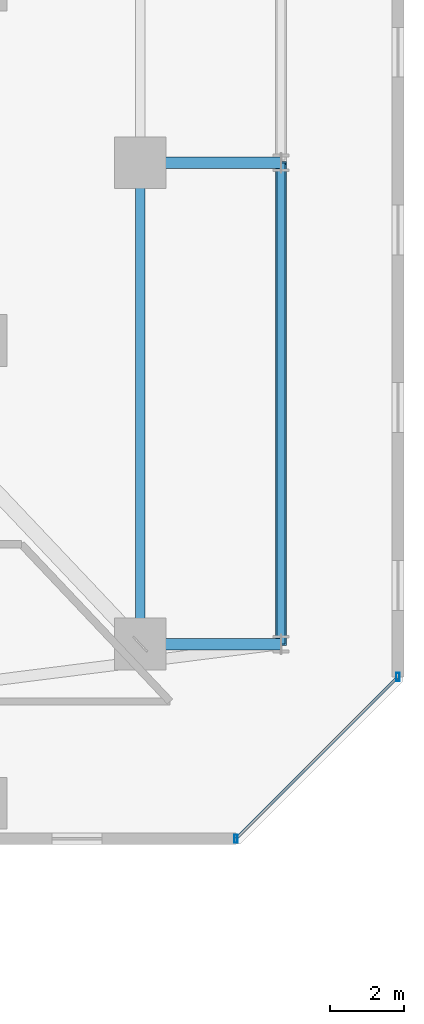
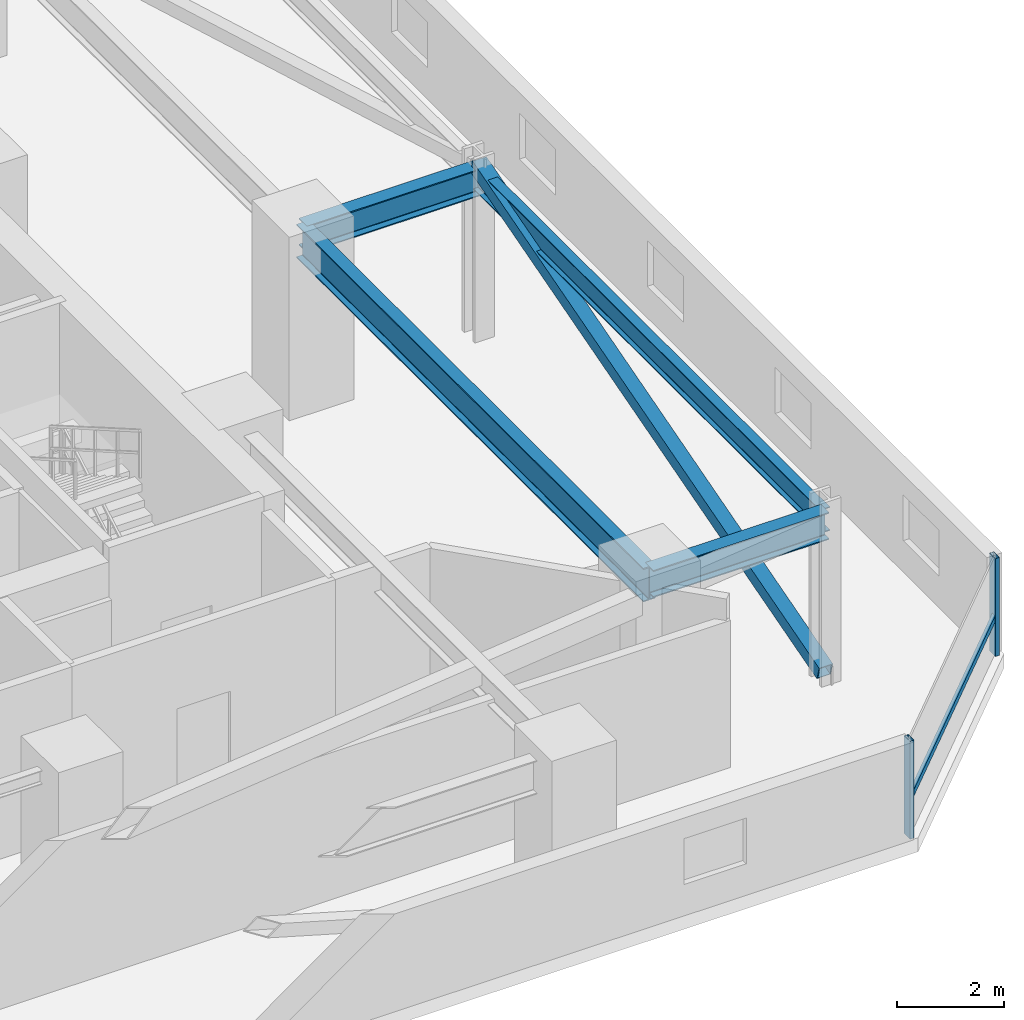
# One storey, part 19 of 38: 4 beams, 4 members, 1 element without a shape of its own.
"""IFC4 building model written with IfcOpenShell, lengths in metres."""

from ifc_helpers import new_model, si_unit, direction, frame, origin, origin_2d, place, context, subcontext, project, spatial, hollow_rectangle, i_section, extrude, material, material_profile, profile_set, type_object, element, aggregate, save


model = new_model("IFC4")

# Units and contexts
model_context = context("Model", 3, precision=1e-05, world=origin(), true_north=direction((0.0, 1.0)))
body_context = subcontext(model_context, "Body", "Model", "MODEL_VIEW")
ifc_project = project(units=[si_unit("LENGTHUNIT", "METRE"), si_unit("AREAUNIT", "SQUARE_METRE"), si_unit("VOLUMEUNIT", "CUBIC_METRE"), si_unit("PLANEANGLEUNIT", "RADIAN"), si_unit("MASSUNIT", "GRAM", prefix="KILO")], contexts=[model_context])

# Site, building, storey
site_placement = place(None, origin())
site = spatial("IfcSite", under=ifc_project, at=site_placement, CompositionType="ELEMENT")
building_placement = place(site_placement, origin())
building = spatial("IfcBuilding", under=site, at=building_placement, Name="Thornwick Lancets Civic Towers", CompositionType="ELEMENT")
storey_placement = place(building_placement, frame((0.0, 0.0, 71.699951171875)))
storey = spatial("IfcBuildingStorey", under=building, at=storey_placement, Name="L18", CompositionType="ELEMENT", Elevation=71.699951171875)

# Beams
ifc_material_1 = material(Name="Steel S355JR", Category="steel")
ifc_material_profile_1 = material_profile(ifc_material_1, i_section(OverallWidth=0.2119140625, OverallDepth=0.54443359375, WebThickness=0.0126953125, FlangeThickness=0.021240234375, FilletRadius=0.0126953125, at=origin_2d()), Name="UKB 533x210x122")
ifc_profile_set_1 = profile_set([ifc_material_profile_1], Name="Steel S355JR")
beam_type_1 = type_object("IfcBeamType", Name="BM_EDGE_533_122", PredefinedType="SPANDREL", material=ifc_profile_set_1)
beam_1_placement = place(storey_placement, frame((109.60009765625, 14.0, 3.607666015625), z_axis=(0.0, 1.0, 0.0), x_axis=(-1.0, 0.0, 0.0)))
element("IfcBeam", 1, at=beam_1_placement, inside=storey, type_object=beam_type_1, Name="BM-EDGE-L18-B-S0-1", PredefinedType="SPANDREL", context=body_context, shape_type="SweptSolid", body=[
    extrude(i_section(OverallWidth=0.2119140625, OverallDepth=0.54443359375, WebThickness=0.0126953125, FlangeThickness=0.021240234375, FilletRadius=0.0126953125, at=origin_2d()), origin(), (0.0, 0.0, 1.0), 13.0),
])
ifc_material_profile_2 = material_profile(ifc_material_1, i_section(OverallWidth=0.30712890625, OverallDepth=0.6201171875, WebThickness=0.01416015625, FlangeThickness=0.023681640625, FilletRadius=0.0166015625, at=origin_2d()), Name="UKB 610x305x179")
ifc_profile_set_2 = profile_set([ifc_material_profile_2], Name="Steel S355JR")
beam_type_2 = type_object("IfcBeamType", Name="BM_GIRD_610_179", PredefinedType="BEAM", material=ifc_profile_set_2)
for number, where, z_axis, x_axis, name in (
    (2, (105.800048828125, 14.0, 3.570068359375), (1.0, 0.0, 0.0), (0.0, 1.0, 0.0), "BM-RAD-L18-B01"),
    (3, (105.800048828125, 27.0, 3.570068359375), (1.0, 0.0, 0.0), (0.0, 1.0, 0.0), "BM-RAD-L18-B02"),
):
    element("IfcBeam", number, at=place(storey_placement, frame(where, z_axis=z_axis, x_axis=x_axis)), inside=storey, type_object=beam_type_2, Name=name, PredefinedType="BEAM", context=body_context, shape_type="SweptSolid", body=[
        extrude(i_section(OverallWidth=0.30712890625, OverallDepth=0.6201171875, WebThickness=0.01416015625, FlangeThickness=0.023681640625, FilletRadius=0.0166015625, at=origin_2d()), origin(), (0.0, 0.0, 1.0), 3.800048828125),
    ])
ifc_material_profile_3 = material_profile(ifc_material_1, i_section(OverallWidth=0.26806640625, OverallDepth=0.769775390625, WebThickness=0.015625, FlangeThickness=0.025390625, FilletRadius=0.0166015625, at=origin_2d()), Name="UKB 762x267x197")
ifc_profile_set_3 = profile_set([ifc_material_profile_3], Name="Steel S355JR")
beam_type_3 = type_object("IfcBeamType", Name="BM_GIRD_762_197", PredefinedType="BEAM", material=ifc_profile_set_3)
beam_2_placement = place(storey_placement, frame((105.800048828125, 14.0, 3.4951171875), z_axis=(0.0, 1.0, 0.0), x_axis=(-1.0, 0.0, 0.0)))
element("IfcBeam", 4, at=beam_2_placement, inside=storey, type_object=beam_type_3, Name="BM-SPINE-L18-B-0-1", PredefinedType="BEAM", context=body_context, shape_type="SweptSolid", body=[
    extrude(i_section(OverallWidth=0.26806640625, OverallDepth=0.769775390625, WebThickness=0.015625, FlangeThickness=0.025390625, FilletRadius=0.0166015625, at=origin_2d()), origin(), (0.0, 0.0, 1.0), 13.0),
])

# Curtain wall, members
ifc_material_2 = material(Name="Low-zone chamfered-corner unitised glass curtain wall", Category="glass")
curtain_wall_type = type_object("IfcCurtainWallType", Name="CW_SYS_03", PredefinedType="NOTDEFINED", material=ifc_material_2)
curtain_wall_placement = place(storey_placement, origin())
curtain_wall = element("IfcCurtainWall", 5, at=curtain_wall_placement, inside=storey, type_object=curtain_wall_type, Name="L18 Curtain Wall CW-L18-B-E1", PredefinedType="NOTDEFINED")
ifc_material_3 = material(Name="Thermally broken bronze aluminium S355", Category="steel")
ifc_material_profile_4 = material_profile(ifc_material_3, hollow_rectangle(XDim=0.090087890625, YDim=0.219970703125, WallThickness=0.00634765625, at=origin_2d()), Name="RHS 220x90x6.3")
ifc_profile_set_4 = profile_set([ifc_material_profile_4], Name="Thermally broken bronze aluminium S355")
member_type_1 = type_object("IfcMemberType", Name="CW_MUL_220", PredefinedType="MULLION", material=ifc_profile_set_4)
member_1_placement = place(storey_placement, frame((108.387939453125, 8.740966796875, 0.0), z_axis=(0.0, 0.0, 1.0), x_axis=(1.0, 0.0, 0.0)))
member_1 = element("IfcMember", 6, at=member_1_placement, type_object=member_type_1, Name="CW-L18-B-E1 Mullion 0", PredefinedType="MULLION", context=body_context, shape_type="SweptSolid", body=[
    extrude(hollow_rectangle(XDim=0.090087890625, YDim=0.219970703125, WallThickness=0.00634765625, at=origin_2d()), origin(), (0.0, 0.0, 1.0), 2.239990234375),
])
member_2_placement = place(storey_placement, frame((112.759033203125, 13.112060546875, 0.0), z_axis=(0.0, 0.0, 1.0), x_axis=(1.0, 0.0, 0.0)))
member_2 = element("IfcMember", 7, at=member_2_placement, type_object=member_type_1, Name="CW-L18-B-E1 Mullion 1", PredefinedType="MULLION", context=body_context, shape_type="SweptSolid", body=[
    extrude(hollow_rectangle(XDim=0.090087890625, YDim=0.219970703125, WallThickness=0.00634765625, at=origin_2d()), origin(), (0.0, 0.0, 1.0), 2.239990234375),
])
ifc_material_profile_5 = material_profile(ifc_material_3, hollow_rectangle(XDim=0.074951171875, YDim=0.14990234375, WallThickness=0.0048828125, at=origin_2d()), Name="RHS 150x75x5")
ifc_profile_set_5 = profile_set([ifc_material_profile_5], Name="Thermally broken bronze aluminium S355")
member_type_2 = type_object("IfcMemberType", Name="CW_TRN_150", PredefinedType="USERDEFINED", material=ifc_profile_set_5)
member_3_placement = place(storey_placement, frame((108.402099609375, 8.7548828125, 0.85009765625), z_axis=(0.707106781187, 0.707106781187, 0.0), x_axis=(-0.707106781187, 0.707106781187, 0.0)))
member_3 = element("IfcMember", 8, at=member_3_placement, type_object=member_type_2, Name="CW-L18-B-E1 Transom 0", ObjectType="TRANSOM", PredefinedType="USERDEFINED", context=body_context, shape_type="SweptSolid", body=[
    extrude(hollow_rectangle(XDim=0.074951171875, YDim=0.14990234375, WallThickness=0.0048828125, at=origin_2d()), origin(), (0.0, 0.0, 1.0), 6.141845703125),
])
aggregate(curtain_wall, [member_1, member_2, member_3])

# Member
ifc_material_4 = material(Name="Steel S460M", Category="steel")
ifc_material_profile_6 = material_profile(ifc_material_4, hollow_rectangle(XDim=0.300048828125, YDim=0.300048828125, WallThickness=0.01611328125, at=origin_2d()), Name="SHS 300x300x16")
ifc_profile_set_6 = profile_set([ifc_material_profile_6], Name="Steel S460M")
member_type_3 = type_object("IfcMemberType", Name="MEM_BELT_SHS300", PredefinedType="BRACE", material=ifc_profile_set_6)
member_4_placement = place(storey_placement, frame((109.60009765625, 14.0, 0.150146484375), z_axis=(0.0, 0.961216810803, 0.27579384081), x_axis=(-1.0, 0.0, 0.0)))
element("IfcMember", 9, at=member_4_placement, inside=storey, type_object=member_type_3, Name="L18 Belt Truss Diagonal B-S0-1", PredefinedType="BRACE", context=body_context, shape_type="SweptSolid", body=[
    extrude(hollow_rectangle(XDim=0.300048828125, YDim=0.300048828125, WallThickness=0.01611328125, at=origin_2d()), origin(), (0.0, 0.0, 1.0), 13.5244140625),
])

save(model, "model.ifc")
